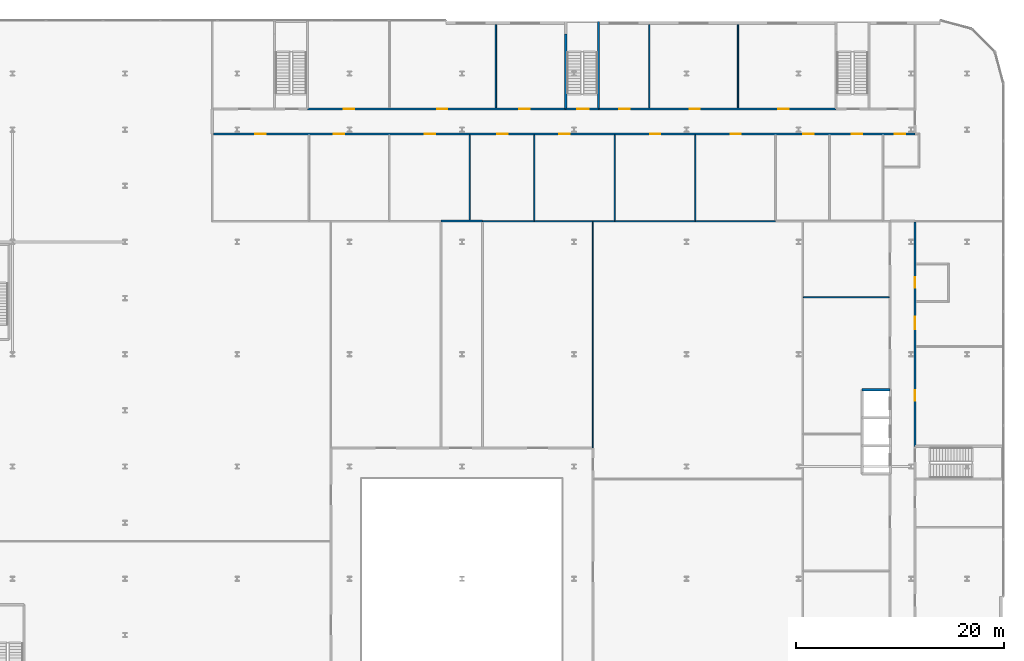
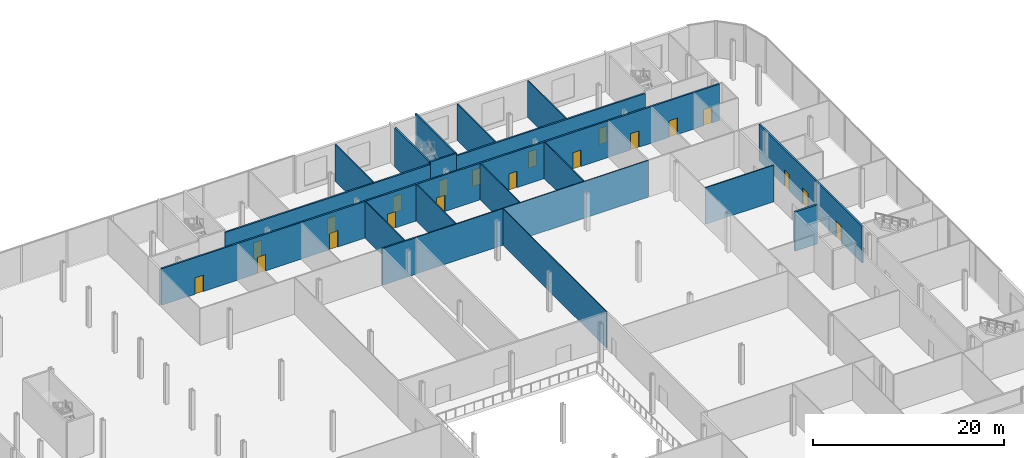
# One storey, part 34 of 47: 20 doors, 19 walls, 20 openings.
"""IFC4 building model written with IfcOpenShell, lengths in metres."""

import ifcopenshell
import ifcopenshell.guid

model = None  # the IFC model being written
_history = None  # IfcOwnerHistory: only IFC2X3 demands one
_inside = {}  # id of a spatial element -> (the spatial element, [elements in it])
_under = {}  # id of a project, library or spatial element -> (it, [spatial elements below it])
_declared = {}  # id of a project -> (the project, [libraries it declares])
_typed = {}  # id of a type object -> (the type object, [elements of that type])
_made_of = {}  # id of a material, layer set ... -> (it, [elements and type objects made of it])


def new_model(schema):
    """Start an empty IFC model of exactly this schema.

    Asked for "IFC4X3", IfcOpenShell would pick the latest addendum, in which some entities
    have other attributes; the version numbers below select the first issue.
    IFC2X3 requires an IfcOwnerHistory on every rooted entity: one is made here for all.
    """
    global model, _history
    if schema == "IFC4X3":
        model = ifcopenshell.file(schema_version=(4, 3, 0, 0))
    else:
        model = ifcopenshell.file(schema=schema)
    _inside.clear()
    _under.clear()
    _declared.clear()
    _typed.clear()
    _made_of.clear()
    _history = None
    if model.schema == "IFC2X3":
        org = make("IfcOrganization", Name="unknown")
        user = make(
            "IfcPersonAndOrganization",
            ThePerson=make("IfcPerson", FamilyName="unknown"),
            TheOrganization=org,
        )
        app = make(
            "IfcApplication",
            ApplicationDeveloper=org,
            Version="unknown",
            ApplicationFullName="unknown",
            ApplicationIdentifier="unknown",
        )
        _history = make(
            "IfcOwnerHistory",
            OwningUser=user,
            OwningApplication=app,
            ChangeAction="ADDED",
            CreationDate=0,
        )
    return model


def make(cls, **values):
    """One entity of the class cls with the attributes given. An attribute that is None is left unset."""
    return model.create_entity(
        cls, **{name: value for name, value in values.items() if value is not None}
    )


def rooted(cls, **values):
    """An entity with a GlobalId (a new one), such as an element, a storey or a relation."""
    return make(cls, GlobalId=ifcopenshell.guid.new(), OwnerHistory=_history, **values)


def si_unit(unit_type, name, prefix=None):
    """IfcSIUnit, for example si_unit("LENGTHUNIT", "METRE", prefix="MILLI")."""
    return make("IfcSIUnit", UnitType=unit_type, Prefix=prefix, Name=name)


def assignment(units):
    """IfcUnitAssignment: the units of a project."""
    return None if units is None else make("IfcUnitAssignment", Units=units)


def point(xyz):
    """IfcCartesianPoint."""
    return None if xyz is None else make("IfcCartesianPoint", Coordinates=xyz)


def direction(xyz):
    """IfcDirection."""
    return None if xyz is None else make("IfcDirection", DirectionRatios=xyz)


def frame(location, z_axis=None, x_axis=None):
    """IfcAxis2Placement3D, a coordinate frame: its origin and axes. An axis left out is left unset."""
    return make(
        "IfcAxis2Placement3D",
        Location=point(location),
        Axis=direction(z_axis),
        RefDirection=direction(x_axis),
    )


def frame_2d(location, x_axis=None):
    """IfcAxis2Placement2D, a coordinate frame in the plane: its origin and x axis."""
    return make(
        "IfcAxis2Placement2D", Location=point(location), RefDirection=direction(x_axis)
    )


def origin():
    """The frame at (0, 0, 0) with its axes left unset."""
    return frame((0.0, 0.0, 0.0))


def place(relative_to, where):
    """IfcLocalPlacement: puts the frame where relative to a parent placement (None: the world)."""
    return make(
        "IfcLocalPlacement", PlacementRelTo=relative_to, RelativePlacement=where
    )


def context(
    kind, dimensions, precision=None, world=None, true_north=None, identifier=None
):
    """IfcGeometricRepresentationContext, for example the 3D "Model" context."""
    return make(
        "IfcGeometricRepresentationContext",
        ContextIdentifier=identifier,
        ContextType=kind,
        CoordinateSpaceDimension=dimensions,
        Precision=precision,
        WorldCoordinateSystem=world,
        TrueNorth=true_north,
    )


def subcontext(parent, identifier, kind, view, scale=None):
    """IfcGeometricRepresentationSubContext, for example "Body" below "Model"."""
    return make(
        "IfcGeometricRepresentationSubContext",
        ContextIdentifier=identifier,
        ContextType=kind,
        ParentContext=parent,
        TargetScale=scale,
        TargetView=view,
    )


def project(units=None, contexts=None):
    """IfcProject with its units and contexts."""
    return rooted(
        "IfcProject",
        Name="project",
        RepresentationContexts=contexts,
        UnitsInContext=assignment(units),
    )


def spatial(cls, under=None, at=None, **own):
    """A site, building, storey or space (cls), placed at a placement, below another one or the project."""
    s = rooted(cls, ObjectPlacement=at, **own)
    if under is not None:
        _under.setdefault(under.id(), (under, []))[1].append(s)
    return s


def profile(cls, at=None, kind="AREA", **sizes):
    """A parametric profile (cls). Its sizes go by their IFC names, for example OverallWidth=200.0."""
    return make(cls, ProfileType=kind, Position=at, **sizes)


def rectangle(**sizes):
    """IfcRectangleProfileDef."""
    return profile("IfcRectangleProfileDef", **sizes)


def extrude(swept, where, along, depth):
    """IfcExtrudedAreaSolid: the profile swept, set in the frame where, extruded along a direction by depth."""
    return make(
        "IfcExtrudedAreaSolid",
        SweptArea=swept,
        Position=where,
        ExtrudedDirection=direction(along),
        Depth=depth,
    )


def shape(context_of_items, identifier, shape_type, items):
    """IfcShapeRepresentation: the items that make up one representation, for example the "Body"."""
    return make(
        "IfcShapeRepresentation",
        ContextOfItems=context_of_items,
        RepresentationIdentifier=identifier,
        RepresentationType=shape_type,
        Items=items,
    )


def source(mapping_origin, context_of_items, identifier, shape_type, items):
    """IfcRepresentationMap: a shape defined once, which mapped items show again and again."""
    return make(
        "IfcRepresentationMap",
        MappingOrigin=mapping_origin,
        MappedRepresentation=shape(context_of_items, identifier, shape_type, items),
    )


def transform(
    local_origin,
    x_axis=None,
    y_axis=None,
    z_axis=None,
    scale=None,
    scale2=None,
    scale3=None,
    uniform=True,
):
    """IfcCartesianTransformationOperator3D, or its non-uniform kind. x_axis, y_axis, z_axis: its Axis1, 2, 3."""
    if uniform:
        return make(
            "IfcCartesianTransformationOperator3D",
            Axis1=direction(x_axis),
            Axis2=direction(y_axis),
            LocalOrigin=point(local_origin),
            Scale=scale,
            Axis3=direction(z_axis),
        )
    return make(
        "IfcCartesianTransformationOperator3DnonUniform",
        Axis1=direction(x_axis),
        Axis2=direction(y_axis),
        LocalOrigin=point(local_origin),
        Scale=scale,
        Axis3=direction(z_axis),
        Scale2=scale2,
        Scale3=scale3,
    )


def mapped(mapping_source, mapping_target):
    """IfcMappedItem: shows the shape of a source again, moved by a transform."""
    return make(
        "IfcMappedItem", MappingSource=mapping_source, MappingTarget=mapping_target
    )


def material(Name=None, Category=None):
    """IfcMaterial."""
    return make("IfcMaterial", Name=Name, Category=Category)


def layer(
    of_material, thickness, ventilated=None, Name=None, Category=None, Priority=None
):
    """IfcMaterialLayer: one layer of a wall or slab, of a material (None: an air gap)."""
    return make(
        "IfcMaterialLayer",
        Material=of_material,
        LayerThickness=thickness,
        IsVentilated=ventilated,
        Name=Name,
        Category=Category,
        Priority=Priority,
    )


def layer_set(layers, Name=None):
    """IfcMaterialLayerSet."""
    return make("IfcMaterialLayerSet", MaterialLayers=layers, LayerSetName=Name)


def made_of(thing, what):
    """Note that an element or type object is made of a material, layer set ...; save() writes the relation."""
    if what is not None:
        _made_of.setdefault(what.id(), (what, []))[1].append(thing)
    return thing


def type_object(cls, material=None, **own):
    """A type object (cls), such as IfcWallType, which elements share."""
    return made_of(rooted(cls, **own), material)


def element(
    cls,
    number,
    at=None,
    inside=None,
    cuts=None,
    type_object=None,
    material=None,
    context=None,
    identifier="Body",
    shape_type=None,
    held_by="IfcProductDefinitionShape",
    body=None,
    shapes=None,
    **own,
):
    """One element of the class cls, such as IfcWall. Its Tag is "e" and its number.

    at: its placement. inside: the storey or other place that contains it. cuts: it is an
    opening in that element (IfcRelVoidsElement). A single representation is given by context,
    identifier, shape_type and body (its items); several are given by shapes. held_by: the class
    of the entity that holds the representations. save() writes the other relations.
    """
    e = rooted(cls, Tag="e%d" % number, ObjectPlacement=at, **own)
    if body is not None:
        shapes = [shape(context, identifier, shape_type, body)]
    if shapes is not None:
        e.Representation = make(held_by, Representations=shapes)
    if inside is not None:
        _inside.setdefault(inside.id(), (inside, []))[1].append(e)
    if cuts is not None:
        rooted(
            "IfcRelVoidsElement", RelatingBuildingElement=cuts, RelatedOpeningElement=e
        )
    if type_object is not None:
        _typed.setdefault(type_object.id(), (type_object, []))[1].append(e)
    return made_of(e, material)


def fill(opening, filler):
    """IfcRelFillsElement: the door or window that sits in an opening."""
    return rooted(
        "IfcRelFillsElement",
        RelatingOpeningElement=opening,
        RelatedBuildingElement=filler,
    )


def aggregate(whole, parts):
    """IfcRelAggregates: a whole, such as a stair, and the parts it consists of."""
    return rooted("IfcRelAggregates", RelatingObject=whole, RelatedObjects=parts)


def save(model, path):
    """Write the relations noted so far, then the file.

    IfcRelAggregates (storeys below a building ...), IfcRelContainedInSpatialStructure (elements
    in a storey), IfcRelDefinesByType, IfcRelAssociatesMaterial and IfcRelDeclares: one each for
    every whole, place, type object, material and project.
    """
    for whole, parts in _under.values():
        aggregate(whole, parts)
    for where, things in _inside.values():
        rooted(
            "IfcRelContainedInSpatialStructure",
            RelatedElements=things,
            RelatingStructure=where,
        )
    for kind, things in _typed.values():
        rooted("IfcRelDefinesByType", RelatedObjects=things, RelatingType=kind)
    for what, things in _made_of.values():
        rooted("IfcRelAssociatesMaterial", RelatedObjects=things, RelatingMaterial=what)
    for by, libraries in _declared.values():
        rooted("IfcRelDeclares", RelatingContext=by, RelatedDefinitions=libraries)
    model.write(path)


model = new_model("IFC4")

# Units and contexts
model_context = context("Model", 3, precision=1e-05, world=origin(), true_north=direction((0.0, 1.0)))
body_context = subcontext(model_context, "Body", "Model", "MODEL_VIEW")
ifc_project = project(units=[si_unit("LENGTHUNIT", "METRE"), si_unit("AREAUNIT", "SQUARE_METRE"), si_unit("VOLUMEUNIT", "CUBIC_METRE"), si_unit("PLANEANGLEUNIT", "RADIAN"), si_unit("MASSUNIT", "GRAM", prefix="KILO")], contexts=[model_context])

# Site, building, storey
site_placement = place(None, origin())
site = spatial("IfcSite", under=ifc_project, at=site_placement, CompositionType="ELEMENT")
building_placement = place(site_placement, origin())
building = spatial("IfcBuilding", under=site, at=building_placement, Name="Kheshtan School and Residences Tower", CompositionType="ELEMENT")
storey_placement = place(building_placement, frame((0.0, 0.0, 7.5)))
storey = spatial("IfcBuildingStorey", under=building, at=storey_placement, Name="L01", CompositionType="ELEMENT", Elevation=7.5)

# Walls
ifc_material_1 = material(Name="Gypsum board on steel studs with mineral wool", Category="steel")
ifc_layer_1 = layer(ifc_material_1, 0.125)
ifc_layer_set_1 = layer_set([ifc_layer_1], Name="Acoustic partition 125")
wall_type_1 = type_object("IfcWallType", Name="Acoustic partition 125", PredefinedType="PARTITIONING", material=ifc_layer_set_1)
wall_1_placement = place(storey_placement, frame((80.76904296875, 90.89990234375, 0.0), z_axis=(0.0, 0.0, 1.0), x_axis=(0.0, 1.0, 0.0)))
element("IfcWall", 1, at=wall_1_placement, inside=storey, type_object=wall_type_1, Name="Partition L01-039", PredefinedType="PARTITIONING", context=body_context, shape_type="SweptSolid", body=[
    extrude(rectangle(XDim=8.2001953125, YDim=0.125, at=frame_2d((4.10009765625, 0.0))), origin(), (0.0, 0.0, 1.0), 4.679931640625),
])
wall_2_placement = place(storey_placement, frame((82.0, 90.800048828125, 0.0), z_axis=(0.0, 0.0, 1.0), x_axis=(1.0, 0.0, 0.0)))
element("IfcWall", 2, at=wall_2_placement, inside=storey, type_object=wall_type_1, Name="Partition L01-041", PredefinedType="PARTITIONING", context=body_context, shape_type="SweptSolid", body=[
    extrude(rectangle(XDim=28.18310546875, YDim=0.125, at=frame_2d((14.091552734375, 0.0))), origin(), (0.0, 0.0, 1.0), 4.679931640625),
])
for number, where, z_axis, x_axis, name in (
    (3, (86.9619140625, 90.862060546875, 0.0), (0.0, 0.0, 1.0), (0.0, 1.0, 0.0), "Partition L01-043"),
    (4, (94.701904296875, 90.862060546875, 0.0), (0.0, 0.0, 1.0), (0.0, 1.0, 0.0), "Partition L01-058"),
):
    element("IfcWall", number, at=place(storey_placement, frame(where, z_axis=z_axis, x_axis=x_axis)), inside=storey, type_object=wall_type_1, Name=name, PredefinedType="PARTITIONING", context=body_context, shape_type="SweptSolid", body=[
        extrude(rectangle(XDim=8.238037109375, YDim=0.125, at=frame_2d((4.119140625, 0.0))), origin(), (0.0, 0.0, 1.0), 4.679931640625),
    ])
wall_3_placement = place(storey_placement, frame((98.037109375, 101.699951171875, 0.0), z_axis=(0.0, 0.0, 1.0), x_axis=(0.0, 1.0, 0.0)))
element("IfcWall", 5, at=wall_3_placement, inside=storey, type_object=wall_type_1, Name="Partition L01-059", PredefinedType="PARTITIONING", context=body_context, shape_type="SweptSolid", body=[
    extrude(rectangle(XDim=8.0009765625, YDim=0.125, at=frame_2d((4.00048828125, 0.0))), origin(), (0.0, 0.0, 1.0), 4.679931640625),
])
wall_4_placement = place(storey_placement, frame((102.443115234375, 90.862060546875, 0.0), z_axis=(0.0, 0.0, 1.0), x_axis=(0.0, 1.0, 0.0)))
element("IfcWall", 6, at=wall_4_placement, inside=storey, type_object=wall_type_1, Name="Partition L01-060", PredefinedType="PARTITIONING", context=body_context, shape_type="SweptSolid", body=[
    extrude(rectangle(XDim=8.238037109375, YDim=0.125, at=frame_2d((4.119140625, 0.0))), origin(), (0.0, 0.0, 1.0), 4.679931640625),
])
wall_5_placement = place(storey_placement, frame((106.55810546875, 101.699951171875, 0.0), z_axis=(0.0, 0.0, 1.0), x_axis=(0.0, 1.0, 0.0)))
element("IfcWall", 7, at=wall_5_placement, inside=storey, type_object=wall_type_1, Name="Partition L01-063", PredefinedType="PARTITIONING", context=body_context, shape_type="SweptSolid", body=[
    extrude(rectangle(XDim=8.0009765625, YDim=0.125, at=frame_2d((4.00048828125, 0.0))), origin(), (0.0, 0.0, 1.0), 4.679931640625),
])
wall_6_placement = place(storey_placement, frame((112.862060546875, 83.487060546875, 0.0), z_axis=(0.0, 0.0, 1.0), x_axis=(1.0, 0.0, 0.0)))
element("IfcWall", 8, at=wall_6_placement, inside=storey, type_object=wall_type_1, Name="Partition L01-072", PredefinedType="PARTITIONING", context=body_context, shape_type="SweptSolid", body=[
    extrude(rectangle(XDim=8.238037109375, YDim=0.125, at=frame_2d((4.119140625, 0.0))), origin(), (0.0, 0.0, 1.0), 4.679931640625),
])

# Wall, openings, doors
ifc_material_2 = material(Name="Gypsum board on steel studs with fire boards", Category="steel")
ifc_layer_2 = layer(ifc_material_2, 0.199951171875)
ifc_layer_set_2 = layer_set([ifc_layer_2], Name="Corridor wall 200")
wall_type_2 = type_object("IfcWallType", Name="Corridor wall 200", PredefinedType="PARTITIONING", material=ifc_layer_set_2)
wall_7_placement = place(storey_placement, frame((56.10009765625, 99.199951171875, 0.0), z_axis=(0.0, 0.0, 1.0), x_axis=(1.0, 0.0, 0.0)))
wall_7 = element("IfcWall", 9, at=wall_7_placement, inside=storey, type_object=wall_type_2, Name="Partition L01-024", PredefinedType="PARTITIONING", context=body_context, shape_type="SweptSolid", body=[
    extrude(rectangle(XDim=67.5, YDim=0.199951171875, at=frame_2d((33.75, 0.0))), origin(), (0.0, 0.0, 1.0), 4.679931640625),
])
opening_1_placement = place(wall_7_placement, frame((4.050048828125, 0.0, 0.0)))
opening_1 = element("IfcOpeningElement", 10, at=opening_1_placement, cuts=wall_7, Name="Opening D01-013", PredefinedType="OPENING", context=body_context, shape_type="SweptSolid", body=[
    extrude(rectangle(XDim=1.0, YDim=2.10009765625, at=frame_2d((0.5, 1.050048828125))), frame((0.0, 0.10986328125, 0.0), z_axis=(0.0, -1.0, 0.0), x_axis=(1.0, 0.0, 0.0)), (0.0, 0.0, 1.0), 0.219970703125),
])
opening_2_placement = place(wall_7_placement, frame((65.553955078125, 0.0, 0.0)))
opening_2 = element("IfcOpeningElement", 11, at=opening_2_placement, cuts=wall_7, Name="Opening D01-014", PredefinedType="OPENING", context=body_context, shape_type="SweptSolid", body=[
    extrude(rectangle(XDim=1.0, YDim=2.10009765625, at=frame_2d((0.5, 1.050048828125))), frame((0.0, 0.10986328125, 0.0), z_axis=(0.0, -1.0, 0.0), x_axis=(1.0, 0.0, 0.0)), (0.0, 0.0, 1.0), 0.219970703125),
])
opening_3_placement = place(wall_7_placement, frame((11.589111328125, 0.0, 0.0)))
opening_3 = element("IfcOpeningElement", 12, at=opening_3_placement, cuts=wall_7, Name="Opening D01-016", PredefinedType="OPENING", context=body_context, shape_type="SweptSolid", body=[
    extrude(rectangle(XDim=1.0, YDim=2.10009765625, at=frame_2d((0.5, 1.050048828125))), frame((0.0, 0.10986328125, 0.0), z_axis=(0.0, -1.0, 0.0), x_axis=(1.0, 0.0, 0.0)), (0.0, 0.0, 1.0), 0.219970703125),
])
opening_4_placement = place(wall_7_placement, frame((20.3291015625, 0.0, 0.0)))
opening_4 = element("IfcOpeningElement", 13, at=opening_4_placement, cuts=wall_7, Name="Opening D01-017", PredefinedType="OPENING", context=body_context, shape_type="SweptSolid", body=[
    extrude(rectangle(XDim=1.0, YDim=2.10009765625, at=frame_2d((0.5, 1.050048828125))), frame((0.0, 0.10986328125, 0.0), z_axis=(0.0, -1.0, 0.0), x_axis=(1.0, 0.0, 0.0)), (0.0, 0.0, 1.0), 0.219970703125),
])
opening_5_placement = place(wall_7_placement, frame((27.319091796875, 0.0, 0.0)))
opening_5 = element("IfcOpeningElement", 14, at=opening_5_placement, cuts=wall_7, Name="Opening D01-018", PredefinedType="OPENING", context=body_context, shape_type="SweptSolid", body=[
    extrude(rectangle(XDim=1.0, YDim=2.10009765625, at=frame_2d((0.5, 1.050048828125))), frame((0.0, 0.10986328125, 0.0), z_axis=(0.0, -1.0, 0.0), x_axis=(1.0, 0.0, 0.0)), (0.0, 0.0, 1.0), 0.219970703125),
])
opening_6_placement = place(wall_7_placement, frame((33.261962890625, 0.0, 0.0)))
opening_6 = element("IfcOpeningElement", 15, at=opening_6_placement, cuts=wall_7, Name="Opening D01-019", PredefinedType="OPENING", context=body_context, shape_type="SweptSolid", body=[
    extrude(rectangle(XDim=1.0, YDim=2.10009765625, at=frame_2d((0.5, 1.050048828125))), frame((0.0, 0.10986328125, 0.0), z_axis=(0.0, -1.0, 0.0), x_axis=(1.0, 0.0, 0.0)), (0.0, 0.0, 1.0), 0.219970703125),
])
opening_7_placement = place(wall_7_placement, frame((42.001953125, 0.0, 0.0)))
opening_7 = element("IfcOpeningElement", 16, at=opening_7_placement, cuts=wall_7, Name="Opening D01-020", PredefinedType="OPENING", context=body_context, shape_type="SweptSolid", body=[
    extrude(rectangle(XDim=1.0, YDim=2.10009765625, at=frame_2d((0.5, 1.050048828125))), frame((0.0, 0.10986328125, 0.0), z_axis=(0.0, -1.0, 0.0), x_axis=(1.0, 0.0, 0.0)), (0.0, 0.0, 1.0), 0.219970703125),
])
opening_8_placement = place(wall_7_placement, frame((49.742919921875, 0.0, 0.0)))
opening_8 = element("IfcOpeningElement", 17, at=opening_8_placement, cuts=wall_7, Name="Opening D01-021", PredefinedType="OPENING", context=body_context, shape_type="SweptSolid", body=[
    extrude(rectangle(XDim=1.0, YDim=2.10009765625, at=frame_2d((0.5, 1.050048828125))), frame((0.0, 0.10986328125, 0.0), z_axis=(0.0, -1.0, 0.0), x_axis=(1.0, 0.0, 0.0)), (0.0, 0.0, 1.0), 0.219970703125),
])
opening_9_placement = place(wall_7_placement, frame((56.73291015625, 0.0, 0.0)))
opening_9 = element("IfcOpeningElement", 18, at=opening_9_placement, cuts=wall_7, Name="Opening D01-022", PredefinedType="OPENING", context=body_context, shape_type="SweptSolid", body=[
    extrude(rectangle(XDim=1.0, YDim=2.10009765625, at=frame_2d((0.5, 1.050048828125))), frame((0.0, 0.10986328125, 0.0), z_axis=(0.0, -1.0, 0.0), x_axis=(1.0, 0.0, 0.0)), (0.0, 0.0, 1.0), 0.219970703125),
])
opening_10_placement = place(wall_7_placement, frame((61.39404296875, 0.0, 0.0)))
opening_10 = element("IfcOpeningElement", 19, at=opening_10_placement, cuts=wall_7, Name="Opening D01-023", PredefinedType="OPENING", context=body_context, shape_type="SweptSolid", body=[
    extrude(rectangle(XDim=1.0, YDim=2.10009765625, at=frame_2d((0.5, 1.050048828125))), frame((0.0, 0.10986328125, 0.0), z_axis=(0.0, -1.0, 0.0), x_axis=(1.0, 0.0, 0.0)), (0.0, 0.0, 1.0), 0.219970703125),
])
ifc_material_3 = material(Name="Steel-framed fire-resisting door leaf", Category="steel")
door_type_1 = type_object("IfcDoorType", Name="Fire door FD60 1000 x 2100", OperationType="SINGLE_SWING_LEFT", PredefinedType="DOOR", material=ifc_material_3)
shared_shape_1 = source(origin(), body_context, "Body", "SweptSolid", [
    extrude(rectangle(XDim=1.0, YDim=2.10009765625, at=frame_2d((0.5, 1.050048828125))), frame((0.0, 0.02490234375, 0.0), z_axis=(0.0, -1.0, 0.0), x_axis=(1.0, 0.0, 0.0)), (0.0, 0.0, 1.0), 0.050048828125),
])
door_1_placement = place(opening_1_placement, origin())
door_1 = element("IfcDoor", 20, at=door_1_placement, inside=storey, type_object=door_type_1, Name="Door D01-013", OperationType="SINGLE_SWING_LEFT", OverallHeight=2.10009765625, OverallWidth=1.0, PredefinedType="DOOR", context=body_context, shape_type="MappedRepresentation", body=[
    mapped(shared_shape_1, transform((0.0, 0.0, 0.0), x_axis=(1.0, 0.0, 0.0), y_axis=(0.0, 1.0, 0.0), z_axis=(0.0, 0.0, 1.0), scale=1.0)),
])
fill(opening_1, door_1)
door_2_placement = place(opening_2_placement, origin())
door_2 = element("IfcDoor", 21, at=door_2_placement, inside=storey, type_object=door_type_1, Name="Door D01-014", OperationType="SINGLE_SWING_RIGHT", OverallHeight=2.10009765625, OverallWidth=1.0, PredefinedType="DOOR", context=body_context, shape_type="MappedRepresentation", body=[
    mapped(shared_shape_1, transform((0.0, 0.0, 0.0), x_axis=(1.0, 0.0, 0.0), y_axis=(0.0, 1.0, 0.0), z_axis=(0.0, 0.0, 1.0), scale=1.0)),
])
fill(opening_2, door_2)
door_3_placement = place(opening_3_placement, origin())
door_3 = element("IfcDoor", 22, at=door_3_placement, inside=storey, type_object=door_type_1, Name="Door D01-016", OperationType="SINGLE_SWING_LEFT", OverallHeight=2.10009765625, OverallWidth=1.0, PredefinedType="DOOR", context=body_context, shape_type="MappedRepresentation", body=[
    mapped(shared_shape_1, transform((0.0, 0.0, 0.0), x_axis=(1.0, 0.0, 0.0), y_axis=(0.0, 1.0, 0.0), z_axis=(0.0, 0.0, 1.0), scale=1.0)),
])
fill(opening_3, door_3)
door_4_placement = place(opening_4_placement, origin())
door_4 = element("IfcDoor", 23, at=door_4_placement, inside=storey, type_object=door_type_1, Name="Door D01-017", OperationType="SINGLE_SWING_RIGHT", OverallHeight=2.10009765625, OverallWidth=1.0, PredefinedType="DOOR", context=body_context, shape_type="MappedRepresentation", body=[
    mapped(shared_shape_1, transform((0.0, 0.0, 0.0), x_axis=(1.0, 0.0, 0.0), y_axis=(0.0, 1.0, 0.0), z_axis=(0.0, 0.0, 1.0), scale=1.0)),
])
fill(opening_4, door_4)
door_5_placement = place(opening_5_placement, origin())
door_5 = element("IfcDoor", 24, at=door_5_placement, inside=storey, type_object=door_type_1, Name="Door D01-018", OperationType="SINGLE_SWING_RIGHT", OverallHeight=2.10009765625, OverallWidth=1.0, PredefinedType="DOOR", context=body_context, shape_type="MappedRepresentation", body=[
    mapped(shared_shape_1, transform((0.0, 0.0, 0.0), x_axis=(1.0, 0.0, 0.0), y_axis=(0.0, 1.0, 0.0), z_axis=(0.0, 0.0, 1.0), scale=1.0)),
])
fill(opening_5, door_5)
door_6_placement = place(opening_6_placement, origin())
door_6 = element("IfcDoor", 25, at=door_6_placement, inside=storey, type_object=door_type_1, Name="Door D01-019", OperationType="SINGLE_SWING_RIGHT", OverallHeight=2.10009765625, OverallWidth=1.0, PredefinedType="DOOR", context=body_context, shape_type="MappedRepresentation", body=[
    mapped(shared_shape_1, transform((0.0, 0.0, 0.0), x_axis=(1.0, 0.0, 0.0), y_axis=(0.0, 1.0, 0.0), z_axis=(0.0, 0.0, 1.0), scale=1.0)),
])
fill(opening_6, door_6)
door_7_placement = place(opening_7_placement, origin())
door_7 = element("IfcDoor", 26, at=door_7_placement, inside=storey, type_object=door_type_1, Name="Door D01-020", OperationType="SINGLE_SWING_LEFT", OverallHeight=2.10009765625, OverallWidth=1.0, PredefinedType="DOOR", context=body_context, shape_type="MappedRepresentation", body=[
    mapped(shared_shape_1, transform((0.0, 0.0, 0.0), x_axis=(1.0, 0.0, 0.0), y_axis=(0.0, 1.0, 0.0), z_axis=(0.0, 0.0, 1.0), scale=1.0)),
])
fill(opening_7, door_7)
door_8_placement = place(opening_8_placement, origin())
door_8 = element("IfcDoor", 27, at=door_8_placement, inside=storey, type_object=door_type_1, Name="Door D01-021", OperationType="SINGLE_SWING_RIGHT", OverallHeight=2.10009765625, OverallWidth=1.0, PredefinedType="DOOR", context=body_context, shape_type="MappedRepresentation", body=[
    mapped(shared_shape_1, transform((0.0, 0.0, 0.0), x_axis=(1.0, 0.0, 0.0), y_axis=(0.0, 1.0, 0.0), z_axis=(0.0, 0.0, 1.0), scale=1.0)),
])
fill(opening_8, door_8)
door_9_placement = place(opening_9_placement, origin())
door_9 = element("IfcDoor", 28, at=door_9_placement, inside=storey, type_object=door_type_1, Name="Door D01-022", OperationType="SINGLE_SWING_LEFT", OverallHeight=2.10009765625, OverallWidth=1.0, PredefinedType="DOOR", context=body_context, shape_type="MappedRepresentation", body=[
    mapped(shared_shape_1, transform((0.0, 0.0, 0.0), x_axis=(1.0, 0.0, 0.0), y_axis=(0.0, 1.0, 0.0), z_axis=(0.0, 0.0, 1.0), scale=1.0)),
])
fill(opening_9, door_9)
door_10_placement = place(opening_10_placement, origin())
door_10 = element("IfcDoor", 29, at=door_10_placement, inside=storey, type_object=door_type_1, Name="Door D01-023", OperationType="SINGLE_SWING_LEFT", OverallHeight=2.10009765625, OverallWidth=1.0, PredefinedType="DOOR", context=body_context, shape_type="MappedRepresentation", body=[
    mapped(shared_shape_1, transform((0.0, 0.0, 0.0), x_axis=(1.0, 0.0, 0.0), y_axis=(0.0, 1.0, 0.0), z_axis=(0.0, 0.0, 1.0), scale=1.0)),
])
fill(opening_10, door_10)

wall_8_placement = place(storey_placement, frame((65.14990234375, 101.60009765625, 0.0), z_axis=(0.0, 0.0, 1.0), x_axis=(1.0, 0.0, 0.0)))
wall_8 = element("IfcWall", 30, at=wall_8_placement, inside=storey, type_object=wall_type_2, Name="Partition L01-026", PredefinedType="PARTITIONING", context=body_context, shape_type="SweptSolid", body=[
    extrude(rectangle(XDim=24.85009765625, YDim=0.199951171875, at=frame_2d((12.425048828125, 0.0))), origin(), (0.0, 0.0, 1.0), 4.679931640625),
])
opening_11_placement = place(wall_8_placement, frame((3.491943359375, 0.0, 0.0)))
opening_11 = element("IfcOpeningElement", 31, at=opening_11_placement, cuts=wall_8, Name="Opening D01-025", PredefinedType="OPENING", context=body_context, shape_type="SweptSolid", body=[
    extrude(rectangle(XDim=1.0, YDim=2.10009765625, at=frame_2d((0.5, 1.050048828125))), frame((0.0, 0.10986328125, 0.0), z_axis=(0.0, -1.0, 0.0), x_axis=(1.0, 0.0, 0.0)), (0.0, 0.0, 1.0), 0.219970703125),
])
opening_12_placement = place(wall_8_placement, frame((12.467041015625, 0.0, 0.0)))
opening_12 = element("IfcOpeningElement", 32, at=opening_12_placement, cuts=wall_8, Name="Opening D01-026", PredefinedType="OPENING", context=body_context, shape_type="SweptSolid", body=[
    extrude(rectangle(XDim=1.0, YDim=2.10009765625, at=frame_2d((0.5, 1.050048828125))), frame((0.0, 0.10986328125, 0.0), z_axis=(0.0, -1.0, 0.0), x_axis=(1.0, 0.0, 0.0)), (0.0, 0.0, 1.0), 0.219970703125),
])
opening_13_placement = place(wall_8_placement, frame((20.39794921875, 0.0, 0.0)))
opening_13 = element("IfcOpeningElement", 33, at=opening_13_placement, cuts=wall_8, Name="Opening D01-027", PredefinedType="OPENING", context=body_context, shape_type="SweptSolid", body=[
    extrude(rectangle(XDim=1.0, YDim=2.10009765625, at=frame_2d((0.5, 1.050048828125))), frame((0.0, 0.10986328125, 0.0), z_axis=(0.0, -1.0, 0.0), x_axis=(1.0, 0.0, 0.0)), (0.0, 0.0, 1.0), 0.219970703125),
])
door_11_placement = place(opening_11_placement, origin())
door_11 = element("IfcDoor", 34, at=door_11_placement, inside=storey, type_object=door_type_1, Name="Door D01-025", OperationType="SINGLE_SWING_LEFT", OverallHeight=2.10009765625, OverallWidth=1.0, PredefinedType="DOOR", context=body_context, shape_type="MappedRepresentation", body=[
    mapped(shared_shape_1, transform((0.0, 0.0, 0.0), x_axis=(1.0, 0.0, 0.0), y_axis=(0.0, 1.0, 0.0), z_axis=(0.0, 0.0, 1.0), scale=1.0)),
])
fill(opening_11, door_11)
door_12_placement = place(opening_12_placement, origin())
door_12 = element("IfcDoor", 35, at=door_12_placement, inside=storey, type_object=door_type_1, Name="Door D01-026", OperationType="SINGLE_SWING_LEFT", OverallHeight=2.10009765625, OverallWidth=1.0, PredefinedType="DOOR", context=body_context, shape_type="MappedRepresentation", body=[
    mapped(shared_shape_1, transform((0.0, 0.0, 0.0), x_axis=(1.0, 0.0, 0.0), y_axis=(0.0, 1.0, 0.0), z_axis=(0.0, 0.0, 1.0), scale=1.0)),
])
fill(opening_12, door_12)
door_13_placement = place(opening_13_placement, origin())
door_13 = element("IfcDoor", 36, at=door_13_placement, inside=storey, type_object=door_type_1, Name="Door D01-027", OperationType="SINGLE_SWING_RIGHT", OverallHeight=2.10009765625, OverallWidth=1.0, PredefinedType="DOOR", context=body_context, shape_type="MappedRepresentation", body=[
    mapped(shared_shape_1, transform((0.0, 0.0, 0.0), x_axis=(1.0, 0.0, 0.0), y_axis=(0.0, 1.0, 0.0), z_axis=(0.0, 0.0, 1.0), scale=1.0)),
])
fill(opening_13, door_13)

# Wall
wall_9_placement = place(storey_placement, frame((78.0, 90.800048828125, 0.0), z_axis=(0.0, 0.0, 1.0), x_axis=(1.0, 0.0, 0.0)))
element("IfcWall", 37, at=wall_9_placement, inside=storey, type_object=wall_type_2, Name="Partition L01-037", PredefinedType="PARTITIONING", context=body_context, shape_type="SweptSolid", body=[
    extrude(rectangle(XDim=4.0, YDim=0.199951171875, at=frame_2d((2.0, 0.0))), origin(), (0.0, 0.0, 1.0), 4.679931640625),
])

# Wall, openings, doors
wall_10_placement = place(storey_placement, frame((93.14990234375, 101.60009765625, 0.0), z_axis=(0.0, 0.0, 1.0), x_axis=(1.0, 0.0, 0.0)))
wall_10 = element("IfcWall", 38, at=wall_10_placement, inside=storey, type_object=wall_type_2, Name="Partition L01-057", PredefinedType="PARTITIONING", context=body_context, shape_type="SweptSolid", body=[
    extrude(rectangle(XDim=22.85009765625, YDim=0.199951171875, at=frame_2d((11.425048828125, 0.0))), origin(), (0.0, 0.0, 1.0), 4.679931640625),
])
opening_14_placement = place(wall_10_placement, frame((1.987060546875, 0.0, 0.0)))
opening_14 = element("IfcOpeningElement", 39, at=opening_14_placement, cuts=wall_10, Name="Opening D01-028", PredefinedType="OPENING", context=body_context, shape_type="SweptSolid", body=[
    extrude(rectangle(XDim=1.0, YDim=2.10009765625, at=frame_2d((0.5, 1.050048828125))), frame((0.0, 0.10986328125, 0.0), z_axis=(0.0, -1.0, 0.0), x_axis=(1.0, 0.0, 0.0)), (0.0, 0.0, 1.0), 0.219970703125),
])
opening_15_placement = place(wall_10_placement, frame((8.758056640625, 0.0, 0.0)))
opening_15 = element("IfcOpeningElement", 40, at=opening_15_placement, cuts=wall_10, Name="Opening D01-029", PredefinedType="OPENING", context=body_context, shape_type="SweptSolid", body=[
    extrude(rectangle(XDim=1.0, YDim=2.10009765625, at=frame_2d((0.5, 1.050048828125))), frame((0.0, 0.10986328125, 0.0), z_axis=(0.0, -1.0, 0.0), x_axis=(1.0, 0.0, 0.0)), (0.0, 0.0, 1.0), 0.219970703125),
])
opening_16_placement = place(wall_10_placement, frame((17.279052734375, 0.0, 0.0)))
opening_16 = element("IfcOpeningElement", 41, at=opening_16_placement, cuts=wall_10, Name="Opening D01-030", PredefinedType="OPENING", context=body_context, shape_type="SweptSolid", body=[
    extrude(rectangle(XDim=1.0, YDim=2.10009765625, at=frame_2d((0.5, 1.050048828125))), frame((0.0, 0.10986328125, 0.0), z_axis=(0.0, -1.0, 0.0), x_axis=(1.0, 0.0, 0.0)), (0.0, 0.0, 1.0), 0.219970703125),
])
door_14_placement = place(opening_14_placement, origin())
door_14 = element("IfcDoor", 42, at=door_14_placement, inside=storey, type_object=door_type_1, Name="Door D01-028", OperationType="SINGLE_SWING_RIGHT", OverallHeight=2.10009765625, OverallWidth=1.0, PredefinedType="DOOR", context=body_context, shape_type="MappedRepresentation", body=[
    mapped(shared_shape_1, transform((0.0, 0.0, 0.0), x_axis=(1.0, 0.0, 0.0), y_axis=(0.0, 1.0, 0.0), z_axis=(0.0, 0.0, 1.0), scale=1.0)),
])
fill(opening_14, door_14)
door_15_placement = place(opening_15_placement, origin())
door_15 = element("IfcDoor", 43, at=door_15_placement, inside=storey, type_object=door_type_1, Name="Door D01-029", OperationType="SINGLE_SWING_RIGHT", OverallHeight=2.10009765625, OverallWidth=1.0, PredefinedType="DOOR", context=body_context, shape_type="MappedRepresentation", body=[
    mapped(shared_shape_1, transform((0.0, 0.0, 0.0), x_axis=(1.0, 0.0, 0.0), y_axis=(0.0, 1.0, 0.0), z_axis=(0.0, 0.0, 1.0), scale=1.0)),
])
fill(opening_15, door_15)
door_16_placement = place(opening_16_placement, origin())
door_16 = element("IfcDoor", 44, at=door_16_placement, inside=storey, type_object=door_type_1, Name="Door D01-030", OperationType="SINGLE_SWING_LEFT", OverallHeight=2.10009765625, OverallWidth=1.0, PredefinedType="DOOR", context=body_context, shape_type="MappedRepresentation", body=[
    mapped(shared_shape_1, transform((0.0, 0.0, 0.0), x_axis=(1.0, 0.0, 0.0), y_axis=(0.0, 1.0, 0.0), z_axis=(0.0, 0.0, 1.0), scale=1.0)),
])
fill(opening_16, door_16)

wall_11_placement = place(storey_placement, frame((123.60009765625, 69.14990234375, 0.0), z_axis=(0.0, 0.0, 1.0), x_axis=(0.0, 1.0, 0.0)))
wall_11 = element("IfcWall", 45, at=wall_11_placement, inside=storey, type_object=wall_type_2, Name="Partition L01-086", PredefinedType="PARTITIONING", context=body_context, shape_type="SweptSolid", body=[
    extrude(rectangle(XDim=21.550048828125, YDim=0.199951171875, at=frame_2d((10.77490234375, 0.0))), origin(), (0.0, 0.0, 1.0), 4.679931640625),
])
opening_17_placement = place(wall_11_placement, frame((4.39990234375, 0.0, 0.0)))
opening_17 = element("IfcOpeningElement", 46, at=opening_17_placement, cuts=wall_11, Name="Opening D01-007", PredefinedType="OPENING", context=body_context, shape_type="SweptSolid", body=[
    extrude(rectangle(XDim=1.0, YDim=2.10009765625, at=frame_2d((0.5, 1.050048828125))), frame((0.0, 0.10986328125, 0.0), z_axis=(0.0, -1.0, 0.0), x_axis=(1.0, 0.0, 0.0)), (0.0, 0.0, 1.0), 0.219970703125),
])
opening_18_placement = place(wall_11_placement, frame((15.238037109375, 0.0, 0.0)))
opening_18 = element("IfcOpeningElement", 47, at=opening_18_placement, cuts=wall_11, Name="Opening D01-008", PredefinedType="OPENING", context=body_context, shape_type="SweptSolid", body=[
    extrude(rectangle(XDim=1.0, YDim=2.10009765625, at=frame_2d((0.5, 1.050048828125))), frame((0.0, 0.10986328125, 0.0), z_axis=(0.0, -1.0, 0.0), x_axis=(1.0, 0.0, 0.0)), (0.0, 0.0, 1.0), 0.219970703125),
])
opening_19_placement = place(wall_11_placement, frame((11.238037109375, 0.0, 0.0)))
opening_19 = element("IfcOpeningElement", 48, at=opening_19_placement, cuts=wall_11, Name="Opening D01-009", PredefinedType="OPENING", context=body_context, shape_type="SweptSolid", body=[
    extrude(rectangle(XDim=1.199951171875, YDim=2.10009765625, at=frame_2d((0.60009765625, 1.050048828125))), frame((0.0, 0.10986328125, 0.0), z_axis=(0.0, -1.0, 0.0), x_axis=(1.0, 0.0, 0.0)), (0.0, 0.0, 1.0), 0.219970703125),
])
door_17_placement = place(opening_17_placement, origin())
door_17 = element("IfcDoor", 49, at=door_17_placement, inside=storey, type_object=door_type_1, Name="Door D01-007", OperationType="SINGLE_SWING_LEFT", OverallHeight=2.10009765625, OverallWidth=1.0, PredefinedType="DOOR", context=body_context, shape_type="MappedRepresentation", body=[
    mapped(shared_shape_1, transform((0.0, 0.0, 0.0), x_axis=(1.0, 0.0, 0.0), y_axis=(0.0, 1.0, 0.0), z_axis=(0.0, 0.0, 1.0), scale=1.0)),
])
fill(opening_17, door_17)
door_18_placement = place(opening_18_placement, origin())
door_18 = element("IfcDoor", 50, at=door_18_placement, inside=storey, type_object=door_type_1, Name="Door D01-008", OperationType="SINGLE_SWING_LEFT", OverallHeight=2.10009765625, OverallWidth=1.0, PredefinedType="DOOR", context=body_context, shape_type="MappedRepresentation", body=[
    mapped(shared_shape_1, transform((0.0, 0.0, 0.0), x_axis=(1.0, 0.0, 0.0), y_axis=(0.0, 1.0, 0.0), z_axis=(0.0, 0.0, 1.0), scale=1.0)),
])
fill(opening_18, door_18)
door_type_2 = type_object("IfcDoorType", Name="Fire door FD60 1200 x 2100", OperationType="SINGLE_SWING_LEFT", PredefinedType="DOOR", material=ifc_material_3)
shared_shape_2 = source(origin(), body_context, "Body", "SweptSolid", [
    extrude(rectangle(XDim=1.199951171875, YDim=2.10009765625, at=frame_2d((0.60009765625, 1.050048828125))), frame((0.0, 0.02490234375, 0.0), z_axis=(0.0, -1.0, 0.0), x_axis=(1.0, 0.0, 0.0)), (0.0, 0.0, 1.0), 0.050048828125),
])
door_19_placement = place(opening_19_placement, origin())
door_19 = element("IfcDoor", 51, at=door_19_placement, inside=storey, type_object=door_type_2, Name="Door D01-009", OperationType="SINGLE_SWING_LEFT", OverallHeight=2.10009765625, OverallWidth=1.199951171875, PredefinedType="DOOR", context=body_context, shape_type="MappedRepresentation", body=[
    mapped(shared_shape_2, transform((0.0, 0.0, 0.0), x_axis=(1.0, 0.0, 0.0), y_axis=(0.0, 1.0, 0.0), z_axis=(0.0, 0.0, 1.0), scale=1.0)),
])
fill(opening_19, door_19)

# Walls
ifc_material_4 = material(Name="Gypsum board on steel studs", Category="steel")
ifc_layer_3 = layer(ifc_material_4, 0.10009765625)
ifc_layer_set_3 = layer_set([ifc_layer_3], Name="Gypsum partition 100")
wall_type_3 = type_object("IfcWallType", Name="Gypsum partition 100", PredefinedType="PARTITIONING", material=ifc_layer_set_3)
wall_12_placement = place(storey_placement, frame((92.60009765625, 69.0, 0.0), z_axis=(0.0, 0.0, 1.0), x_axis=(0.0, 1.0, 0.0)))
element("IfcWall", 52, at=wall_12_placement, inside=storey, type_object=wall_type_3, Name="Partition L01-055", PredefinedType="PARTITIONING", context=body_context, shape_type="SweptSolid", body=[
    extrude(rectangle(XDim=21.738037109375, YDim=0.10009765625, at=frame_2d((10.869140625, 0.0))), origin(), (0.0, 0.0, 1.0), 4.679931640625),
])
ifc_material_5 = material(Name="Fire-board shaft wall system")
ifc_layer_4 = layer(ifc_material_5, 0.25)
ifc_layer_set_4 = layer_set([ifc_layer_4], Name="Shaft lining wall 250")
wall_type_4 = type_object("IfcWallType", Name="Shaft lining wall 250", PredefinedType="PARTITIONING", material=ifc_layer_set_4)
wall_13_placement = place(storey_placement, frame((118.5, 74.60009765625, 0.0), z_axis=(0.0, 0.0, 1.0), x_axis=(1.0, 0.0, 0.0)))
element("IfcWall", 53, at=wall_13_placement, inside=storey, type_object=wall_type_4, Name="Shaft lining wall", PredefinedType="PARTITIONING", context=body_context, shape_type="SweptSolid", body=[
    extrude(rectangle(XDim=2.699951171875, YDim=0.25, at=frame_2d((1.35009765625, 0.0))), origin(), (0.0, 0.0, 1.0), 5.0),
])

# Wall, opening, door
ifc_material_6 = material(Name="Concrete C40/50", Category="concrete")
ifc_layer_5 = layer(ifc_material_6, 0.199951171875)
ifc_layer_set_5 = layer_set([ifc_layer_5], Name="Stair enclosure wall 200 Concrete C40/50")
wall_type_5 = type_object("IfcWallType", Name="Stair enclosure wall 200 Concrete C40/50", PredefinedType="SHEAR", material=ifc_layer_set_5)
wall_14_placement = place(storey_placement, frame((90.0, 101.60009765625, 0.0), z_axis=(0.0, 0.0, 1.0), x_axis=(1.0, 0.0, 0.0)))
wall_14 = element("IfcWall", 54, at=wall_14_placement, inside=storey, type_object=wall_type_5, Name="Stair enclosure wall", PredefinedType="SHEAR", context=body_context, shape_type="SweptSolid", body=[
    extrude(rectangle(XDim=3.14990234375, YDim=0.199951171875, at=frame_2d((1.574951171875, 0.0))), origin(), (0.0, 0.0, 1.0), 5.0),
])
opening_20_placement = place(wall_14_placement, frame((1.10009765625, 0.0, 0.0)))
opening_20 = element("IfcOpeningElement", 55, at=opening_20_placement, cuts=wall_14, Name="Opening SD90", PredefinedType="OPENING", context=body_context, shape_type="SweptSolid", body=[
    extrude(rectangle(XDim=1.10009765625, YDim=2.199951171875, at=frame_2d((0.550048828125, 1.10009765625))), frame((0.0, 0.10986328125, 0.0), z_axis=(0.0, -1.0, 0.0), x_axis=(1.0, 0.0, 0.0)), (0.0, 0.0, 1.0), 0.219970703125),
])
ifc_material_7 = material(Name="Steel door leaf, galvanised", Category="steel")
door_type_3 = type_object("IfcDoorType", Name="Stair door 1100 steel 90 min", OperationType="SINGLE_SWING_LEFT", PredefinedType="DOOR", material=ifc_material_7)
shared_shape_3 = source(origin(), body_context, "Body", "SweptSolid", [
    extrude(rectangle(XDim=1.10009765625, YDim=2.199951171875, at=frame_2d((0.550048828125, 1.10009765625))), frame((0.0, 0.02490234375, 0.0), z_axis=(0.0, -1.0, 0.0), x_axis=(1.0, 0.0, 0.0)), (0.0, 0.0, 1.0), 0.050048828125),
])
door_20_placement = place(opening_20_placement, origin())
door_20 = element("IfcDoor", 56, at=door_20_placement, inside=storey, type_object=door_type_3, Name="Stair door", OperationType="SINGLE_SWING_RIGHT", OverallHeight=2.199951171875, OverallWidth=1.10009765625, PredefinedType="DOOR", context=body_context, shape_type="MappedRepresentation", body=[
    mapped(shared_shape_3, transform((0.0, 0.0, 0.0), x_axis=(1.0, 0.0, 0.0), y_axis=(0.0, 1.0, 0.0), z_axis=(0.0, 0.0, 1.0), scale=1.0)),
])
fill(opening_20, door_20)

# Walls
wall_15_placement = place(storey_placement, frame((90.0, 101.60009765625, 0.0), z_axis=(0.0, 0.0, 1.0), x_axis=(0.0, 1.0, 0.0)))
element("IfcWall", 57, at=wall_15_placement, inside=storey, type_object=wall_type_5, Name="Stair enclosure wall", PredefinedType="SHEAR", context=body_context, shape_type="SweptSolid", body=[
    extrude(rectangle(XDim=7.199951171875, YDim=0.199951171875, at=frame_2d((3.60009765625, 0.0))), origin(), (0.0, 0.0, 1.0), 5.0),
])
wall_16_placement = place(storey_placement, frame((93.14990234375, 101.60009765625, 0.0), z_axis=(0.0, 0.0, 1.0), x_axis=(0.0, 1.0, 0.0)))
element("IfcWall", 58, at=wall_16_placement, inside=storey, type_object=wall_type_5, Name="Stair enclosure wall", PredefinedType="SHEAR", context=body_context, shape_type="SweptSolid", body=[
    extrude(rectangle(XDim=8.39990234375, YDim=0.199951171875, at=frame_2d((4.199951171875, 0.0))), origin(), (0.0, 0.0, 1.0), 5.0),
])
ifc_material_8 = material(Name="Moisture-resistant gypsum board on steel studs", Category="steel")
ifc_layer_6 = layer(ifc_material_8, 0.14990234375)
ifc_layer_set_6 = layer_set([ifc_layer_6], Name="Wet-room partition 150")
wall_type_6 = type_object("IfcWallType", Name="Wet-room partition 150", PredefinedType="PARTITIONING", material=ifc_layer_set_6)
wall_17_placement = place(storey_placement, frame((83.26708984375, 101.699951171875, 0.0), z_axis=(0.0, 0.0, 1.0), x_axis=(0.0, 1.0, 0.0)))
element("IfcWall", 59, at=wall_17_placement, inside=storey, type_object=wall_type_6, Name="Partition L01-042", PredefinedType="PARTITIONING", context=body_context, shape_type="SweptSolid", body=[
    extrude(rectangle(XDim=8.0009765625, YDim=0.14990234375, at=frame_2d((4.00048828125, 0.0))), origin(), (0.0, 0.0, 1.0), 4.679931640625),
])

save(model, "model.ifc")
